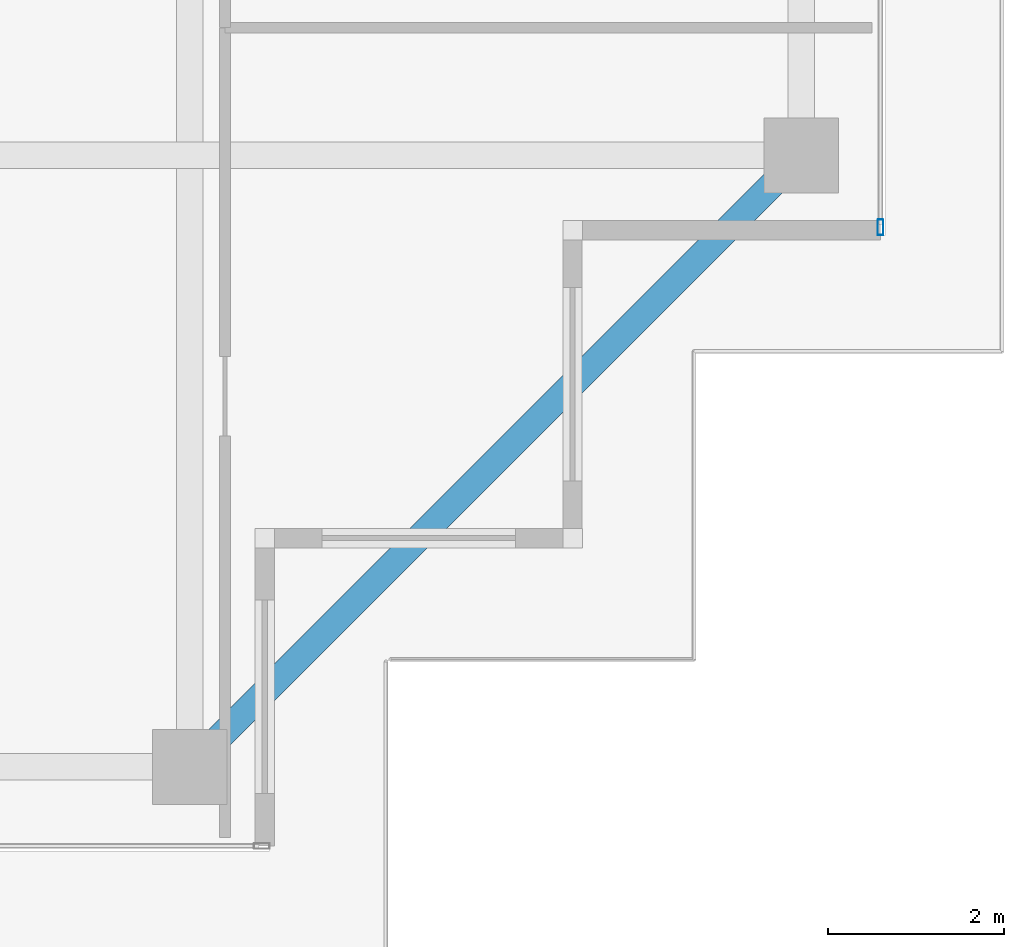
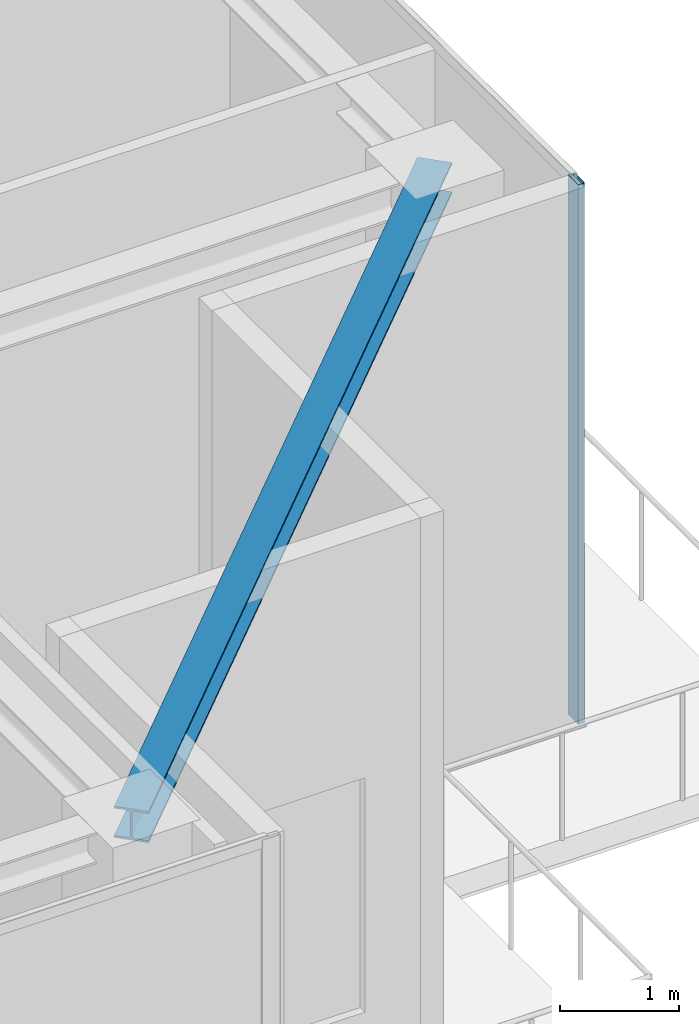
# One storey, part 12 of 38: 1 beam, 1 member, 1 element without a shape of its own.
"""IFC4 building model written with IfcOpenShell, lengths in metres."""

from ifc_helpers import new_model, si_unit, direction, frame, origin, origin_2d, place, context, subcontext, project, spatial, hollow_rectangle, i_section, extrude, source, transform, mapped, material, layer, layer_set, material_profile, profile_set, type_object, element, aggregate, save


model = new_model("IFC4")

# Units and contexts
model_context = context("Model", 3, precision=1e-05, world=origin(), true_north=direction((0.0, 1.0)))
body_context = subcontext(model_context, "Body", "Model", "MODEL_VIEW")
ifc_project = project(units=[si_unit("LENGTHUNIT", "METRE"), si_unit("AREAUNIT", "SQUARE_METRE"), si_unit("VOLUMEUNIT", "CUBIC_METRE"), si_unit("PLANEANGLEUNIT", "RADIAN"), si_unit("MASSUNIT", "GRAM", prefix="KILO")], contexts=[model_context])

# Site, building, storey
site_placement = place(None, origin())
site = spatial("IfcSite", under=ifc_project, at=site_placement, CompositionType="ELEMENT")
building_placement = place(site_placement, origin())
building = spatial("IfcBuilding", under=site, at=building_placement, Name="Serunith Strait Residences", CompositionType="ELEMENT")
storey_placement = place(building_placement, frame((0.0, 0.0, 353.85009765625)))
storey = spatial("IfcBuildingStorey", under=building, at=storey_placement, Name="L87", CompositionType="ELEMENT", Elevation=353.85009765625)

# Beam
ifc_material_1 = material(Name="Steel S355J2", Category="steel")
ifc_material_profile_1 = material_profile(ifc_material_1, i_section(OverallWidth=0.300048828125, OverallDepth=0.320068359375, WebThickness=0.011474609375, FlangeThickness=0.0205078125, FilletRadius=0.027099609375, at=origin_2d()), Name="HEB 320")
ifc_profile_set_1 = profile_set([ifc_material_profile_1], Name="Steel S355J2")
beam_type = type_object("IfcBeamType", Name="BM-HEB320", PredefinedType="BEAM", material=ifc_profile_set_1)
shared_shape_1 = source(origin(), body_context, "Body", "SweptSolid", [
    extrude(i_section(OverallWidth=0.300048828125, OverallDepth=0.320068359375, WebThickness=0.011474609375, FlangeThickness=0.0205078125, FilletRadius=0.027099609375, at=origin_2d()), origin(), (0.0, 0.0, 1.0), 9.8291015625),
])
beam_placement = place(storey_placement, frame((46.14990234375, 4.89990234375, 5.376953125), z_axis=(0.707106781187, 0.707106781187, 0.0), x_axis=(-0.707106781187, 0.707106781187, 0.0)))
element("IfcBeam", 1, at=beam_placement, inside=storey, type_object=beam_type, Name="L87 Perimeter Ring Beam 04", PredefinedType="BEAM", context=body_context, shape_type="MappedRepresentation", body=[
    mapped(shared_shape_1, transform((0.0, 0.0, 0.0), scale=1.0)),
])

# Curtain wall, member
ifc_material_2 = material(Name="Brushed Stainless-Silver Aluminium", Category="aluminium")
ifc_layer = layer(ifc_material_2, 0.199951171875, Name="Brushed Stainless-Silver Aluminium")
ifc_layer_set = layer_set([ifc_layer], Name="Brushed Stainless-Silver Aluminium")
curtain_wall_type = type_object("IfcCurtainWallType", Name="CW-SYS5", PredefinedType="NOTDEFINED", material=ifc_layer_set)
curtain_wall_placement = place(storey_placement, origin())
curtain_wall = element("IfcCurtainWall", 2, at=curtain_wall_placement, inside=storey, type_object=curtain_wall_type, Name="L87 E Unitised Fritted Curtain Wall", PredefinedType="NOTDEFINED")
ifc_material_profile_2 = material_profile(ifc_material_2, hollow_rectangle(XDim=0.06494140625, YDim=0.179931640625, WallThickness=0.00341796875, InnerFilletRadius=0.00537109375, OuterFilletRadius=0.0087890625, at=origin_2d()), Name="ALU 180x65x3.5")
ifc_profile_set_2 = profile_set([ifc_material_profile_2], Name="Brushed Stainless-Silver Aluminium")
member_type = type_object("IfcMemberType", Name="CW-SYS5-MULL", PredefinedType="MULLION", material=ifc_profile_set_2)
shared_shape_2 = source(origin(), body_context, "Body", "SweptSolid", [
    extrude(hollow_rectangle(XDim=0.06494140625, YDim=0.179931640625, WallThickness=0.00341796875, InnerFilletRadius=0.00537109375, OuterFilletRadius=0.0087890625, at=origin_2d()), origin(), (0.0, 0.0, 1.0), 5.52490234375),
])
member_placement = place(storey_placement, frame((54.0, 11.032470703125, 0.0), z_axis=(0.0, 0.0, 1.0), x_axis=(-1.0, 0.0, 0.0)))
member = element("IfcMember", 3, at=member_placement, type_object=member_type, Name="CW-5 mullion 1", PredefinedType="MULLION", context=body_context, shape_type="MappedRepresentation", body=[
    mapped(shared_shape_2, transform((0.0, 0.0, 0.0), scale=1.0)),
])
aggregate(curtain_wall, [member])

save(model, "model.ifc")
